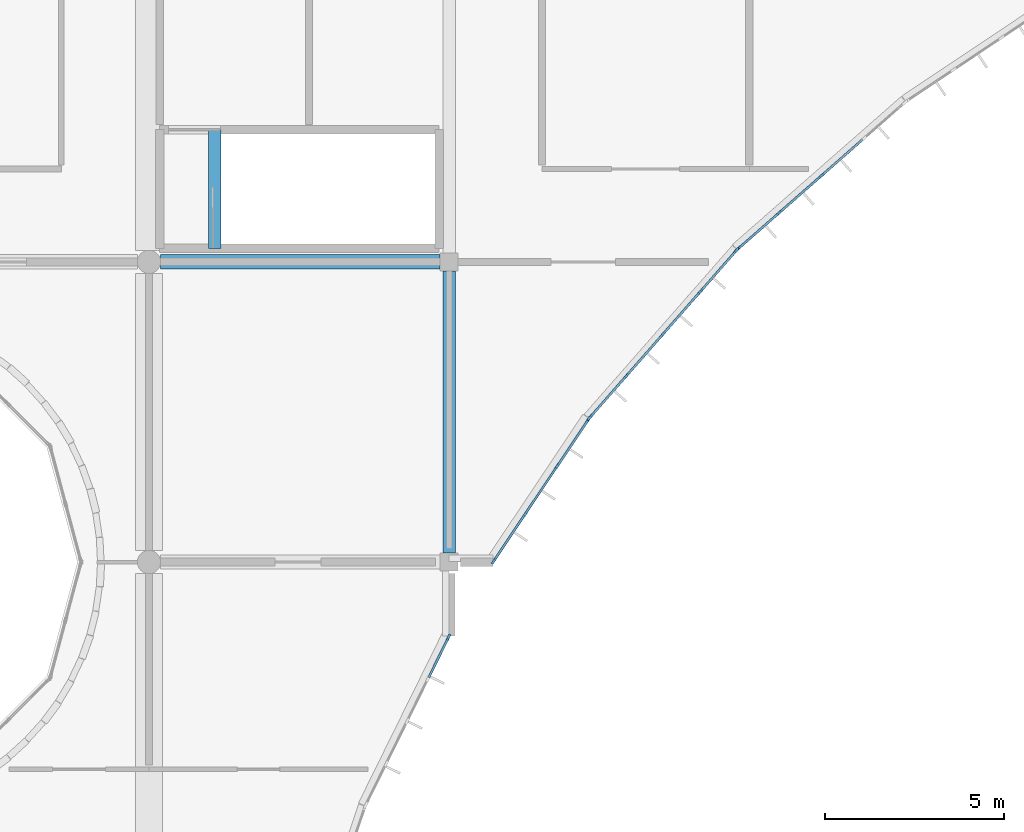
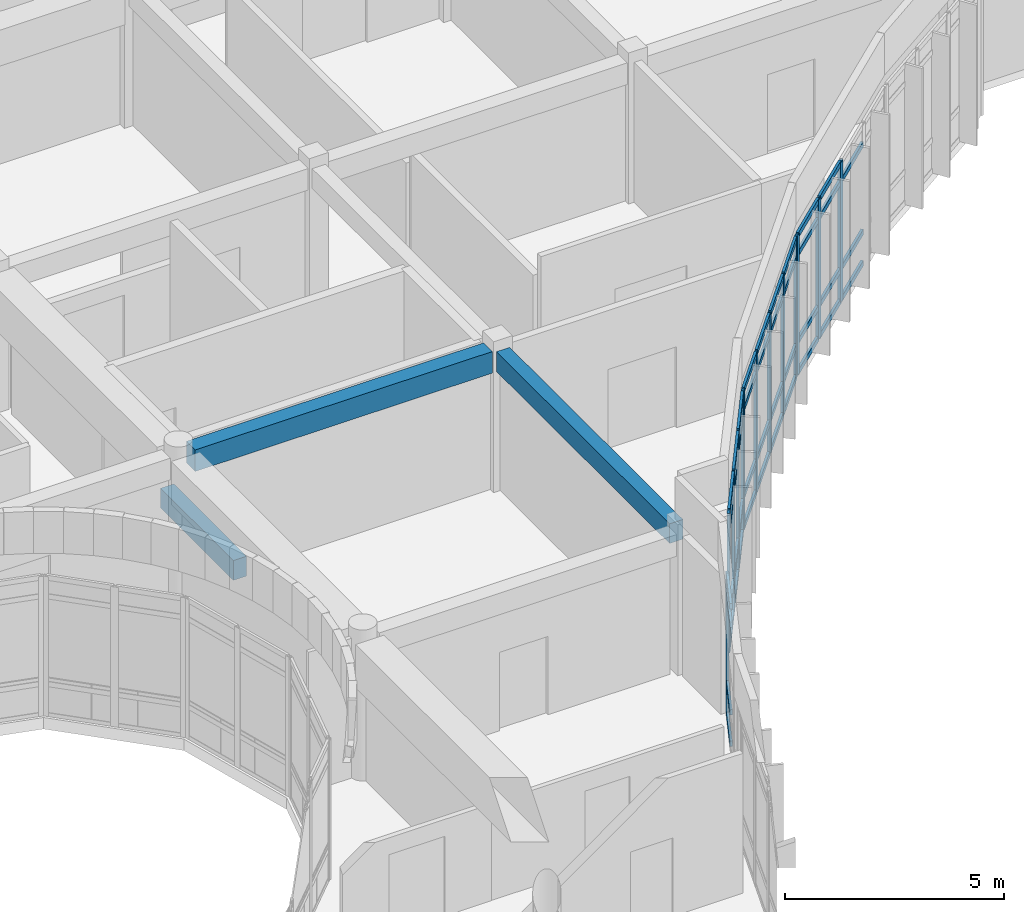
# One storey, part 49 of 119: 56 members, 3 beams, 4 elements without a shape of their own.
"""IFC4 building model written with IfcOpenShell, lengths in metres."""

import ifcopenshell
import ifcopenshell.guid

model = None  # the IFC model being written
_history = None  # IfcOwnerHistory: only IFC2X3 demands one
_inside = {}  # id of a spatial element -> (the spatial element, [elements in it])
_under = {}  # id of a project, library or spatial element -> (it, [spatial elements below it])
_declared = {}  # id of a project -> (the project, [libraries it declares])
_typed = {}  # id of a type object -> (the type object, [elements of that type])
_made_of = {}  # id of a material, layer set ... -> (it, [elements and type objects made of it])


def new_model(schema):
    """Start an empty IFC model of exactly this schema.

    Asked for "IFC4X3", IfcOpenShell would pick the latest addendum, in which some entities
    have other attributes; the version numbers below select the first issue.
    IFC2X3 requires an IfcOwnerHistory on every rooted entity: one is made here for all.
    """
    global model, _history
    if schema == "IFC4X3":
        model = ifcopenshell.file(schema_version=(4, 3, 0, 0))
    else:
        model = ifcopenshell.file(schema=schema)
    _inside.clear()
    _under.clear()
    _declared.clear()
    _typed.clear()
    _made_of.clear()
    _history = None
    if model.schema == "IFC2X3":
        org = make("IfcOrganization", Name="unknown")
        user = make(
            "IfcPersonAndOrganization",
            ThePerson=make("IfcPerson", FamilyName="unknown"),
            TheOrganization=org,
        )
        app = make(
            "IfcApplication",
            ApplicationDeveloper=org,
            Version="unknown",
            ApplicationFullName="unknown",
            ApplicationIdentifier="unknown",
        )
        _history = make(
            "IfcOwnerHistory",
            OwningUser=user,
            OwningApplication=app,
            ChangeAction="ADDED",
            CreationDate=0,
        )
    return model


def make(cls, **values):
    """One entity of the class cls with the attributes given. An attribute that is None is left unset."""
    return model.create_entity(
        cls, **{name: value for name, value in values.items() if value is not None}
    )


def rooted(cls, **values):
    """An entity with a GlobalId (a new one), such as an element, a storey or a relation."""
    return make(cls, GlobalId=ifcopenshell.guid.new(), OwnerHistory=_history, **values)


def si_unit(unit_type, name, prefix=None):
    """IfcSIUnit, for example si_unit("LENGTHUNIT", "METRE", prefix="MILLI")."""
    return make("IfcSIUnit", UnitType=unit_type, Prefix=prefix, Name=name)


def assignment(units):
    """IfcUnitAssignment: the units of a project."""
    return None if units is None else make("IfcUnitAssignment", Units=units)


def point(xyz):
    """IfcCartesianPoint."""
    return None if xyz is None else make("IfcCartesianPoint", Coordinates=xyz)


def direction(xyz):
    """IfcDirection."""
    return None if xyz is None else make("IfcDirection", DirectionRatios=xyz)


def frame(location, z_axis=None, x_axis=None):
    """IfcAxis2Placement3D, a coordinate frame: its origin and axes. An axis left out is left unset."""
    return make(
        "IfcAxis2Placement3D",
        Location=point(location),
        Axis=direction(z_axis),
        RefDirection=direction(x_axis),
    )


def frame_2d(location, x_axis=None):
    """IfcAxis2Placement2D, a coordinate frame in the plane: its origin and x axis."""
    return make(
        "IfcAxis2Placement2D", Location=point(location), RefDirection=direction(x_axis)
    )


def origin():
    """The frame at (0, 0, 0) with its axes left unset."""
    return frame((0.0, 0.0, 0.0))


def origin_2d():
    """The frame at (0, 0) in the plane with its x axis left unset."""
    return frame_2d((0.0, 0.0))


def place(relative_to, where):
    """IfcLocalPlacement: puts the frame where relative to a parent placement (None: the world)."""
    return make(
        "IfcLocalPlacement", PlacementRelTo=relative_to, RelativePlacement=where
    )


def context(
    kind, dimensions, precision=None, world=None, true_north=None, identifier=None
):
    """IfcGeometricRepresentationContext, for example the 3D "Model" context."""
    return make(
        "IfcGeometricRepresentationContext",
        ContextIdentifier=identifier,
        ContextType=kind,
        CoordinateSpaceDimension=dimensions,
        Precision=precision,
        WorldCoordinateSystem=world,
        TrueNorth=true_north,
    )


def subcontext(parent, identifier, kind, view, scale=None):
    """IfcGeometricRepresentationSubContext, for example "Body" below "Model"."""
    return make(
        "IfcGeometricRepresentationSubContext",
        ContextIdentifier=identifier,
        ContextType=kind,
        ParentContext=parent,
        TargetScale=scale,
        TargetView=view,
    )


def project(units=None, contexts=None):
    """IfcProject with its units and contexts."""
    return rooted(
        "IfcProject",
        Name="project",
        RepresentationContexts=contexts,
        UnitsInContext=assignment(units),
    )


def spatial(cls, under=None, at=None, **own):
    """A site, building, storey or space (cls), placed at a placement, below another one or the project."""
    s = rooted(cls, ObjectPlacement=at, **own)
    if under is not None:
        _under.setdefault(under.id(), (under, []))[1].append(s)
    return s


def profile(cls, at=None, kind="AREA", **sizes):
    """A parametric profile (cls). Its sizes go by their IFC names, for example OverallWidth=200.0."""
    return make(cls, ProfileType=kind, Position=at, **sizes)


def rectangle(**sizes):
    """IfcRectangleProfileDef."""
    return profile("IfcRectangleProfileDef", **sizes)


def extrude(swept, where, along, depth):
    """IfcExtrudedAreaSolid: the profile swept, set in the frame where, extruded along a direction by depth."""
    return make(
        "IfcExtrudedAreaSolid",
        SweptArea=swept,
        Position=where,
        ExtrudedDirection=direction(along),
        Depth=depth,
    )


def shape(context_of_items, identifier, shape_type, items):
    """IfcShapeRepresentation: the items that make up one representation, for example the "Body"."""
    return make(
        "IfcShapeRepresentation",
        ContextOfItems=context_of_items,
        RepresentationIdentifier=identifier,
        RepresentationType=shape_type,
        Items=items,
    )


def material(Name=None, Category=None):
    """IfcMaterial."""
    return make("IfcMaterial", Name=Name, Category=Category)


def layer(
    of_material, thickness, ventilated=None, Name=None, Category=None, Priority=None
):
    """IfcMaterialLayer: one layer of a wall or slab, of a material (None: an air gap)."""
    return make(
        "IfcMaterialLayer",
        Material=of_material,
        LayerThickness=thickness,
        IsVentilated=ventilated,
        Name=Name,
        Category=Category,
        Priority=Priority,
    )


def layer_set(layers, Name=None):
    """IfcMaterialLayerSet."""
    return make("IfcMaterialLayerSet", MaterialLayers=layers, LayerSetName=Name)


def material_profile(
    of_material, cross_section, Name=None, Category=None, Priority=None
):
    """IfcMaterialProfile: a cross section and its material."""
    return make(
        "IfcMaterialProfile",
        Name=Name,
        Material=of_material,
        Profile=cross_section,
        Priority=Priority,
        Category=Category,
    )


def profile_set(profiles, Name=None, composite=None):
    """IfcMaterialProfileSet."""
    return make(
        "IfcMaterialProfileSet",
        Name=Name,
        MaterialProfiles=profiles,
        CompositeProfile=composite,
    )


def made_of(thing, what):
    """Note that an element or type object is made of a material, layer set ...; save() writes the relation."""
    if what is not None:
        _made_of.setdefault(what.id(), (what, []))[1].append(thing)
    return thing


def type_object(cls, material=None, **own):
    """A type object (cls), such as IfcWallType, which elements share."""
    return made_of(rooted(cls, **own), material)


def element(
    cls,
    number,
    at=None,
    inside=None,
    cuts=None,
    type_object=None,
    material=None,
    context=None,
    identifier="Body",
    shape_type=None,
    held_by="IfcProductDefinitionShape",
    body=None,
    shapes=None,
    **own,
):
    """One element of the class cls, such as IfcWall. Its Tag is "e" and its number.

    at: its placement. inside: the storey or other place that contains it. cuts: it is an
    opening in that element (IfcRelVoidsElement). A single representation is given by context,
    identifier, shape_type and body (its items); several are given by shapes. held_by: the class
    of the entity that holds the representations. save() writes the other relations.
    """
    e = rooted(cls, Tag="e%d" % number, ObjectPlacement=at, **own)
    if body is not None:
        shapes = [shape(context, identifier, shape_type, body)]
    if shapes is not None:
        e.Representation = make(held_by, Representations=shapes)
    if inside is not None:
        _inside.setdefault(inside.id(), (inside, []))[1].append(e)
    if cuts is not None:
        rooted(
            "IfcRelVoidsElement", RelatingBuildingElement=cuts, RelatedOpeningElement=e
        )
    if type_object is not None:
        _typed.setdefault(type_object.id(), (type_object, []))[1].append(e)
    return made_of(e, material)


def aggregate(whole, parts):
    """IfcRelAggregates: a whole, such as a stair, and the parts it consists of."""
    return rooted("IfcRelAggregates", RelatingObject=whole, RelatedObjects=parts)


def save(model, path):
    """Write the relations noted so far, then the file.

    IfcRelAggregates (storeys below a building ...), IfcRelContainedInSpatialStructure (elements
    in a storey), IfcRelDefinesByType, IfcRelAssociatesMaterial and IfcRelDeclares: one each for
    every whole, place, type object, material and project.
    """
    for whole, parts in _under.values():
        aggregate(whole, parts)
    for where, things in _inside.values():
        rooted(
            "IfcRelContainedInSpatialStructure",
            RelatedElements=things,
            RelatingStructure=where,
        )
    for kind, things in _typed.values():
        rooted("IfcRelDefinesByType", RelatedObjects=things, RelatingType=kind)
    for what, things in _made_of.values():
        rooted("IfcRelAssociatesMaterial", RelatedObjects=things, RelatingMaterial=what)
    for by, libraries in _declared.values():
        rooted("IfcRelDeclares", RelatingContext=by, RelatedDefinitions=libraries)
    model.write(path)


model = new_model("IFC4")

# Units and contexts
model_context = context("Model", 3, precision=1e-05, world=origin(), true_north=direction((0.0, 1.0)))
body_context = subcontext(model_context, "Body", "Model", "MODEL_VIEW")
ifc_project = project(units=[si_unit("LENGTHUNIT", "METRE"), si_unit("AREAUNIT", "SQUARE_METRE"), si_unit("VOLUMEUNIT", "CUBIC_METRE"), si_unit("PLANEANGLEUNIT", "RADIAN"), si_unit("MASSUNIT", "GRAM", prefix="KILO")], contexts=[model_context])

# Site, building, storey
site_placement = place(None, origin())
site = spatial("IfcSite", under=ifc_project, at=site_placement, CompositionType="ELEMENT")
building_placement = place(site_placement, origin())
building = spatial("IfcBuilding", under=site, at=building_placement, Name="Bramfleet General Hospital", CompositionType="ELEMENT")
storey_placement = place(building_placement, frame((0.0, 0.0, 14.39990234375)))
storey = spatial("IfcBuildingStorey", under=building, at=storey_placement, Name="L03", CompositionType="ELEMENT", Elevation=14.39990234375)

# Beams
ifc_material_1 = material(Name="Concrete C35/45", Category="concrete")
ifc_material_profile_1 = material_profile(ifc_material_1, rectangle(XDim=0.35009765625, YDim=0.550048828125, at=origin_2d()), Name="RC BM 550x350")
ifc_profile_set_1 = profile_set([ifc_material_profile_1], Name="Concrete C35/45")
beam_type_1 = type_object("IfcBeamType", Name="BM-RC550", PredefinedType="BEAM", material=ifc_profile_set_1)
beam_1_placement = place(storey_placement, frame((134.39990234375, 67.449951171875, 3.625), z_axis=(0.0, 1.0, 0.0), x_axis=(-1.0, 0.0, 0.0)))
element("IfcBeam", 1, at=beam_1_placement, inside=storey, type_object=beam_type_1, Name="L03 Grid Beam Y 16-08", PredefinedType="BEAM", context=body_context, shape_type="SweptSolid", body=[
    extrude(rectangle(XDim=0.35009765625, YDim=0.550048828125, at=origin_2d()), origin(), (0.0, 0.0, 1.0), 7.900146484375),
])
beam_2_placement = place(storey_placement, frame((127.840087890625, 75.97998046875, -0.27490234375), z_axis=(0.0, 1.0, 0.0), x_axis=(-1.0, 0.0, 0.0)))
element("IfcBeam", 2, at=beam_2_placement, inside=storey, type_object=beam_type_1, Name="L03 C12 Stairwell Trimmer Beam", PredefinedType="BEAM", context=body_context, shape_type="SweptSolid", body=[
    extrude(rectangle(XDim=0.35009765625, YDim=0.550048828125, at=origin_2d()), origin(), (0.0, 0.0, 1.0), 3.320068359375),
])
ifc_material_profile_2 = material_profile(ifc_material_1, rectangle(XDim=0.39990234375, YDim=0.60009765625, at=origin_2d()), Name="RC BM 600x400")
ifc_profile_set_2 = profile_set([ifc_material_profile_2], Name="Concrete C35/45")
beam_type_2 = type_object("IfcBeamType", Name="BM-RC600", PredefinedType="BEAM", material=ifc_profile_set_2)
beam_3_placement = place(storey_placement, frame((126.324951171875, 75.60009765625, 3.60009765625), z_axis=(1.0, 0.0, 0.0), x_axis=(0.0, 1.0, 0.0)))
element("IfcBeam", 3, at=beam_3_placement, inside=storey, type_object=beam_type_2, Name="L03 Grid Beam X 15-09", PredefinedType="BEAM", context=body_context, shape_type="SweptSolid", body=[
    extrude(rectangle(XDim=0.39990234375, YDim=0.60009765625, at=origin_2d()), origin(), (0.0, 0.0, 1.0), 7.824951171875),
])

# Curtain wall, members
ifc_material_2 = material(Name="Anodised aluminium and low-E triple glazing", Category="aluminium")
ifc_layer_1 = layer(ifc_material_2, 0.179931640625, Name="CWT-CW-11")
ifc_layer_set_1 = layer_set([ifc_layer_1], Name="Anodised aluminium and low-E triple glazing")
curtain_wall_type_1 = type_object("IfcCurtainWallType", Name="CWT-CW-11", PredefinedType="USERDEFINED", material=ifc_layer_set_1)
curtain_wall_1_placement = place(storey_placement, origin())
curtain_wall_1 = element("IfcCurtainWall", 4, at=curtain_wall_1_placement, inside=storey, type_object=curtain_wall_type_1, Name="L03 Curtain Wall 155", ObjectType="Stick curtain wall", PredefinedType="USERDEFINED")
ifc_material_3 = material(Name="Structural timber GL28h", Category="wood")
ifc_material_profile_3 = material_profile(ifc_material_3, rectangle(XDim=0.070068359375, YDim=0.18994140625, at=origin_2d()), Name="LARCH 190x70")
ifc_profile_set_3 = profile_set([ifc_material_profile_3], Name="Structural timber GL28h")
member_type_1 = type_object("IfcMemberType", Name="CWM-LARCH450", PredefinedType="MULLION", material=ifc_profile_set_3)
member_1_placement = place(storey_placement, frame((144.819091796875, 78.010986328125, 0.0), z_axis=(0.0, 0.0, 1.0), x_axis=(0.659406233864, -0.75178681735, 0.0)))
member_1 = element("IfcMember", 5, at=member_1_placement, type_object=member_type_1, Name="CW-11 mullion 3", PredefinedType="MULLION", context=body_context, shape_type="SweptSolid", body=[
    extrude(rectangle(XDim=0.070068359375, YDim=0.18994140625, at=origin_2d()), origin(), (0.0, 0.0, 1.0), 3.89013671875),
])
member_2_placement = place(storey_placement, frame((143.638916015625, 76.97607421875, 0.0), z_axis=(0.0, 0.0, 1.0), x_axis=(0.659406233864, -0.75178681735, 0.0)))
member_2 = element("IfcMember", 6, at=member_2_placement, type_object=member_type_1, Name="CW-11 mullion 4", PredefinedType="MULLION", context=body_context, shape_type="SweptSolid", body=[
    extrude(rectangle(XDim=0.070068359375, YDim=0.18994140625, at=origin_2d()), origin(), (0.0, 0.0, 1.0), 3.89013671875),
])
member_3_placement = place(storey_placement, frame((142.4853515625, 75.964111328125, 0.0), z_axis=(0.0, 0.0, 1.0), x_axis=(0.659406233864, -0.75178681735, 0.0)))
member_3 = element("IfcMember", 7, at=member_3_placement, type_object=member_type_1, Name="CW-11 mullion 5", PredefinedType="MULLION", context=body_context, shape_type="SweptSolid", body=[
    extrude(rectangle(XDim=0.070068359375, YDim=0.18994140625, at=origin_2d()), origin(), (0.0, 0.0, 1.0), 3.89013671875),
])

ifc_layer_2 = layer(ifc_material_2, 0.179931640625, Name="CWT-CW-12")
ifc_layer_set_2 = layer_set([ifc_layer_2], Name="Anodised aluminium and low-E triple glazing")
curtain_wall_type_2 = type_object("IfcCurtainWallType", Name="CWT-CW-12", PredefinedType="USERDEFINED", material=ifc_layer_set_2)
curtain_wall_2_placement = place(storey_placement, origin())
curtain_wall_2 = element("IfcCurtainWall", 8, at=curtain_wall_2_placement, inside=storey, type_object=curtain_wall_type_2, Name="L03 Curtain Wall 156", ObjectType="Stick curtain wall", PredefinedType="USERDEFINED")
member_4_placement = place(storey_placement, frame((142.43603515625, 75.914794921875, 0.0), z_axis=(0.0, 0.0, 1.0), x_axis=(0.75178681735, -0.659406233864, 0.0)))
member_4 = element("IfcMember", 9, at=member_4_placement, type_object=member_type_1, Name="CW-12 mullion 1", PredefinedType="MULLION", context=body_context, shape_type="SweptSolid", body=[
    extrude(rectangle(XDim=0.070068359375, YDim=0.18994140625, at=origin_2d()), origin(), (0.0, 0.0, 1.0), 3.89013671875),
])
member_5_placement = place(storey_placement, frame((141.424072265625, 74.760986328125, 0.0), z_axis=(0.0, 0.0, 1.0), x_axis=(0.75178681735, -0.659406233864, 0.0)))
member_5 = element("IfcMember", 10, at=member_5_placement, type_object=member_type_1, Name="CW-12 mullion 2", PredefinedType="MULLION", context=body_context, shape_type="SweptSolid", body=[
    extrude(rectangle(XDim=0.070068359375, YDim=0.18994140625, at=origin_2d()), origin(), (0.0, 0.0, 1.0), 3.89013671875),
])
member_6_placement = place(storey_placement, frame((140.388916015625, 73.5810546875, 0.0), z_axis=(0.0, 0.0, 1.0), x_axis=(0.75178681735, -0.659406233864, 0.0)))
member_6 = element("IfcMember", 11, at=member_6_placement, type_object=member_type_1, Name="CW-12 mullion 3", PredefinedType="MULLION", context=body_context, shape_type="SweptSolid", body=[
    extrude(rectangle(XDim=0.070068359375, YDim=0.18994140625, at=origin_2d()), origin(), (0.0, 0.0, 1.0), 3.89013671875),
])
member_7_placement = place(storey_placement, frame((139.35400390625, 72.40087890625, 0.0), z_axis=(0.0, 0.0, 1.0), x_axis=(0.75178681735, -0.659406233864, 0.0)))
member_7 = element("IfcMember", 12, at=member_7_placement, type_object=member_type_1, Name="CW-12 mullion 4", PredefinedType="MULLION", context=body_context, shape_type="SweptSolid", body=[
    extrude(rectangle(XDim=0.070068359375, YDim=0.18994140625, at=origin_2d()), origin(), (0.0, 0.0, 1.0), 3.89013671875),
])
member_8_placement = place(storey_placement, frame((138.342041015625, 71.247314453125, 0.0), z_axis=(0.0, 0.0, 1.0), x_axis=(0.75178681735, -0.659406233864, 0.0)))
member_8 = element("IfcMember", 13, at=member_8_placement, type_object=member_type_1, Name="CW-12 mullion 5", PredefinedType="MULLION", context=body_context, shape_type="SweptSolid", body=[
    extrude(rectangle(XDim=0.070068359375, YDim=0.18994140625, at=origin_2d()), origin(), (0.0, 0.0, 1.0), 3.89013671875),
])

ifc_layer_3 = layer(ifc_material_2, 0.179931640625, Name="CWT-CW-13")
ifc_layer_set_3 = layer_set([ifc_layer_3], Name="Anodised aluminium and low-E triple glazing")
curtain_wall_type_3 = type_object("IfcCurtainWallType", Name="CWT-CW-13", PredefinedType="USERDEFINED", material=ifc_layer_set_3)
curtain_wall_3_placement = place(storey_placement, origin())
curtain_wall_3 = element("IfcCurtainWall", 14, at=curtain_wall_3_placement, inside=storey, type_object=curtain_wall_type_3, Name="L03 Curtain Wall 157", ObjectType="Stick curtain wall", PredefinedType="USERDEFINED")
member_9_placement = place(storey_placement, frame((138.299560546875, 71.19189453125, 0.0), z_axis=(0.0, 0.0, 1.0), x_axis=(0.831540898988, -0.555463530135, 0.0)))
member_9 = element("IfcMember", 15, at=member_9_placement, type_object=member_type_1, Name="CW-13 mullion 1", PredefinedType="MULLION", context=body_context, shape_type="SweptSolid", body=[
    extrude(rectangle(XDim=0.070068359375, YDim=0.18994140625, at=origin_2d()), origin(), (0.0, 0.0, 1.0), 3.89013671875),
])
member_10_placement = place(storey_placement, frame((137.423583984375, 69.880615234375, 0.0), z_axis=(0.0, 0.0, 1.0), x_axis=(0.831540898988, -0.555463530135, 0.0)))
member_10 = element("IfcMember", 16, at=member_10_placement, type_object=member_type_1, Name="CW-13 mullion 2", PredefinedType="MULLION", context=body_context, shape_type="SweptSolid", body=[
    extrude(rectangle(XDim=0.070068359375, YDim=0.18994140625, at=origin_2d()), origin(), (0.0, 0.0, 1.0), 3.89013671875),
])
member_11_placement = place(storey_placement, frame((136.5283203125, 68.540283203125, 0.0), z_axis=(0.0, 0.0, 1.0), x_axis=(0.831540898988, -0.555463530135, 0.0)))
member_11 = element("IfcMember", 17, at=member_11_placement, type_object=member_type_1, Name="CW-13 mullion 3", PredefinedType="MULLION", context=body_context, shape_type="SweptSolid", body=[
    extrude(rectangle(XDim=0.070068359375, YDim=0.18994140625, at=origin_2d()), origin(), (0.0, 0.0, 1.0), 3.89013671875),
])
member_12_placement = place(storey_placement, frame((135.65234375, 67.22900390625, 0.0), z_axis=(0.0, 0.0, 1.0), x_axis=(0.831540898988, -0.555463530135, 0.0)))
member_12 = element("IfcMember", 18, at=member_12_placement, type_object=member_type_1, Name="CW-13 mullion 4", PredefinedType="MULLION", context=body_context, shape_type="SweptSolid", body=[
    extrude(rectangle(XDim=0.070068359375, YDim=0.18994140625, at=origin_2d()), origin(), (0.0, 0.0, 1.0), 3.89013671875),
])

# Curtain wall, member
ifc_layer_4 = layer(ifc_material_2, 0.179931640625, Name="CWT-CW-14")
ifc_layer_set_4 = layer_set([ifc_layer_4], Name="Anodised aluminium and low-E triple glazing")
curtain_wall_type_4 = type_object("IfcCurtainWallType", Name="CWT-CW-14", PredefinedType="USERDEFINED", material=ifc_layer_set_4)
curtain_wall_4_placement = place(storey_placement, origin())
curtain_wall_4 = element("IfcCurtainWall", 19, at=curtain_wall_4_placement, inside=storey, type_object=curtain_wall_type_4, Name="L03 Curtain Wall 158", ObjectType="Stick curtain wall", PredefinedType="USERDEFINED")
member_13_placement = place(storey_placement, frame((134.384521484375, 65.0947265625, 0.0), z_axis=(0.0, 0.0, 1.0), x_axis=(0.896864723513, -0.442304948782, 0.0)))
member_13 = element("IfcMember", 20, at=member_13_placement, type_object=member_type_1, Name="CW-14 mullion 1", PredefinedType="MULLION", context=body_context, shape_type="SweptSolid", body=[
    extrude(rectangle(XDim=0.070068359375, YDim=0.18994140625, at=origin_2d()), origin(), (0.0, 0.0, 1.0), 3.89013671875),
])

# Member
ifc_material_profile_4 = material_profile(ifc_material_3, rectangle(XDim=0.06494140625, YDim=0.14990234375, at=origin_2d()), Name="LARCH 150x65")
ifc_profile_set_4 = profile_set([ifc_material_profile_4], Name="Structural timber GL28h")
member_type_2 = type_object("IfcMemberType", Name="CWT-LARCH220", PredefinedType="USERDEFINED", material=ifc_profile_set_4)
member_14_placement = place(storey_placement, frame((145.97265625, 79.02294921875, 0.03271484375), z_axis=(-0.751829905296, -0.659357106204, 0.0), x_axis=(0.659357106204, -0.751829905296, 0.0)))
member_14 = element("IfcMember", 21, at=member_14_placement, type_object=member_type_2, Name="CW-11 transom 2.1", ObjectType="TRANSOM", PredefinedType="USERDEFINED", context=body_context, shape_type="SweptSolid", body=[
    extrude(rectangle(XDim=0.06494140625, YDim=0.14990234375, at=origin_2d()), origin(), (0.0, 0.0, 1.0), 1.49951171875),
])

member_15_placement = place(storey_placement, frame((145.97265625, 79.02294921875, 0.900146484375), z_axis=(-0.751829905296, -0.659357106204, 0.0), x_axis=(0.659357106204, -0.751829905296, 0.0)))
member_15 = element("IfcMember", 22, at=member_15_placement, type_object=member_type_2, Name="CW-11 transom 2.2", ObjectType="TRANSOM", PredefinedType="USERDEFINED", context=body_context, shape_type="SweptSolid", body=[
    extrude(rectangle(XDim=0.06494140625, YDim=0.14990234375, at=origin_2d()), origin(), (0.0, 0.0, 1.0), 1.49951171875),
])

member_16_placement = place(storey_placement, frame((145.97265625, 79.02294921875, 3.340087890625), z_axis=(-0.751829905296, -0.659357106204, 0.0), x_axis=(0.659357106204, -0.751829905296, 0.0)))
member_16 = element("IfcMember", 23, at=member_16_placement, type_object=member_type_2, Name="CW-11 transom 2.3", ObjectType="TRANSOM", PredefinedType="USERDEFINED", context=body_context, shape_type="SweptSolid", body=[
    extrude(rectangle(XDim=0.06494140625, YDim=0.14990234375, at=origin_2d()), origin(), (0.0, 0.0, 1.0), 1.49951171875),
])

member_17_placement = place(storey_placement, frame((144.792724609375, 77.988037109375, 0.03271484375), z_axis=(-0.751749202304, -0.659449116183, 0.0), x_axis=(0.659449116183, -0.751749202304, 0.0)))
member_17 = element("IfcMember", 24, at=member_17_placement, type_object=member_type_2, Name="CW-11 transom 3.1", ObjectType="TRANSOM", PredefinedType="USERDEFINED", context=body_context, shape_type="SweptSolid", body=[
    extrude(rectangle(XDim=0.06494140625, YDim=0.14990234375, at=origin_2d()), origin(), (0.0, 0.0, 1.0), 1.499755859375),
])

member_18_placement = place(storey_placement, frame((144.792724609375, 77.988037109375, 0.900146484375), z_axis=(-0.751749202304, -0.659449116183, 0.0), x_axis=(0.659449116183, -0.751749202304, 0.0)))
member_18 = element("IfcMember", 25, at=member_18_placement, type_object=member_type_2, Name="CW-11 transom 3.2", ObjectType="TRANSOM", PredefinedType="USERDEFINED", context=body_context, shape_type="SweptSolid", body=[
    extrude(rectangle(XDim=0.06494140625, YDim=0.14990234375, at=origin_2d()), origin(), (0.0, 0.0, 1.0), 1.499755859375),
])

member_19_placement = place(storey_placement, frame((144.792724609375, 77.988037109375, 3.340087890625), z_axis=(-0.751749202304, -0.659449116183, 0.0), x_axis=(0.659449116183, -0.751749202304, 0.0)))
member_19 = element("IfcMember", 26, at=member_19_placement, type_object=member_type_2, Name="CW-11 transom 3.3", ObjectType="TRANSOM", PredefinedType="USERDEFINED", context=body_context, shape_type="SweptSolid", body=[
    extrude(rectangle(XDim=0.06494140625, YDim=0.14990234375, at=origin_2d()), origin(), (0.0, 0.0, 1.0), 1.499755859375),
])

member_20_placement = place(storey_placement, frame((144.792724609375, 77.988037109375, 3.857666015625), z_axis=(-0.751749202304, -0.659449116183, 0.0), x_axis=(0.659449116183, -0.751749202304, 0.0)))
member_20 = element("IfcMember", 27, at=member_20_placement, type_object=member_type_2, Name="CW-11 transom 3.4", ObjectType="TRANSOM", PredefinedType="USERDEFINED", context=body_context, shape_type="SweptSolid", body=[
    extrude(rectangle(XDim=0.06494140625, YDim=0.14990234375, at=origin_2d()), origin(), (0.0, 0.0, 1.0), 1.499755859375),
])

member_21_placement = place(storey_placement, frame((143.61279296875, 76.952880859375, 0.03271484375), z_axis=(-0.75177071058, -0.659424596686, 0.0), x_axis=(0.659424596686, -0.75177071058, 0.0)))
member_21 = element("IfcMember", 28, at=member_21_placement, type_object=member_type_2, Name="CW-11 transom 4.1", ObjectType="TRANSOM", PredefinedType="USERDEFINED", context=body_context, shape_type="SweptSolid", body=[
    extrude(rectangle(XDim=0.06494140625, YDim=0.14990234375, at=origin_2d()), origin(), (0.0, 0.0, 1.0), 1.464599609375),
])

member_22_placement = place(storey_placement, frame((143.61279296875, 76.952880859375, 0.900146484375), z_axis=(-0.75177071058, -0.659424596686, 0.0), x_axis=(0.659424596686, -0.75177071058, 0.0)))
member_22 = element("IfcMember", 29, at=member_22_placement, type_object=member_type_2, Name="CW-11 transom 4.2", ObjectType="TRANSOM", PredefinedType="USERDEFINED", context=body_context, shape_type="SweptSolid", body=[
    extrude(rectangle(XDim=0.06494140625, YDim=0.14990234375, at=origin_2d()), origin(), (0.0, 0.0, 1.0), 1.464599609375),
])

member_23_placement = place(storey_placement, frame((143.61279296875, 76.952880859375, 3.340087890625), z_axis=(-0.75177071058, -0.659424596686, 0.0), x_axis=(0.659424596686, -0.75177071058, 0.0)))
member_23 = element("IfcMember", 30, at=member_23_placement, type_object=member_type_2, Name="CW-11 transom 4.3", ObjectType="TRANSOM", PredefinedType="USERDEFINED", context=body_context, shape_type="SweptSolid", body=[
    extrude(rectangle(XDim=0.06494140625, YDim=0.14990234375, at=origin_2d()), origin(), (0.0, 0.0, 1.0), 1.464599609375),
])

member_24_placement = place(storey_placement, frame((143.61279296875, 76.952880859375, 3.857666015625), z_axis=(-0.75177071058, -0.659424596686, 0.0), x_axis=(0.659424596686, -0.75177071058, 0.0)))
member_24 = element("IfcMember", 31, at=member_24_placement, type_object=member_type_2, Name="CW-11 transom 4.4", ObjectType="TRANSOM", PredefinedType="USERDEFINED", context=body_context, shape_type="SweptSolid", body=[
    extrude(rectangle(XDim=0.06494140625, YDim=0.14990234375, at=origin_2d()), origin(), (0.0, 0.0, 1.0), 1.464599609375),
])

aggregate(curtain_wall_1, [member_1, member_2, member_3, member_14, member_15, member_16, member_17, member_18, member_19, member_20, member_21, member_22, member_23, member_24])

member_25_placement = place(storey_placement, frame((142.412841796875, 75.888427734375, 0.03271484375), z_axis=(-0.659424596686, -0.75177071058, 0.0), x_axis=(0.75177071058, -0.659424596686, 0.0)))
member_25 = element("IfcMember", 32, at=member_25_placement, type_object=member_type_2, Name="CW-12 transom 1.1", ObjectType="TRANSOM", PredefinedType="USERDEFINED", context=body_context, shape_type="SweptSolid", body=[
    extrude(rectangle(XDim=0.06494140625, YDim=0.14990234375, at=origin_2d()), origin(), (0.0, 0.0, 1.0), 1.464599609375),
])

member_26_placement = place(storey_placement, frame((142.412841796875, 75.888427734375, 0.900146484375), z_axis=(-0.659424596686, -0.75177071058, 0.0), x_axis=(0.75177071058, -0.659424596686, 0.0)))
member_26 = element("IfcMember", 33, at=member_26_placement, type_object=member_type_2, Name="CW-12 transom 1.2", ObjectType="TRANSOM", PredefinedType="USERDEFINED", context=body_context, shape_type="SweptSolid", body=[
    extrude(rectangle(XDim=0.06494140625, YDim=0.14990234375, at=origin_2d()), origin(), (0.0, 0.0, 1.0), 1.464599609375),
])

member_27_placement = place(storey_placement, frame((142.412841796875, 75.888427734375, 3.340087890625), z_axis=(-0.659424596686, -0.75177071058, 0.0), x_axis=(0.75177071058, -0.659424596686, 0.0)))
member_27 = element("IfcMember", 34, at=member_27_placement, type_object=member_type_2, Name="CW-12 transom 1.3", ObjectType="TRANSOM", PredefinedType="USERDEFINED", context=body_context, shape_type="SweptSolid", body=[
    extrude(rectangle(XDim=0.06494140625, YDim=0.14990234375, at=origin_2d()), origin(), (0.0, 0.0, 1.0), 1.464599609375),
])

member_28_placement = place(storey_placement, frame((142.412841796875, 75.888427734375, 3.857666015625), z_axis=(-0.659424596686, -0.75177071058, 0.0), x_axis=(0.75177071058, -0.659424596686, 0.0)))
member_28 = element("IfcMember", 35, at=member_28_placement, type_object=member_type_2, Name="CW-12 transom 1.4", ObjectType="TRANSOM", PredefinedType="USERDEFINED", context=body_context, shape_type="SweptSolid", body=[
    extrude(rectangle(XDim=0.06494140625, YDim=0.14990234375, at=origin_2d()), origin(), (0.0, 0.0, 1.0), 1.464599609375),
])

member_29_placement = place(storey_placement, frame((141.40087890625, 74.734619140625, 0.03271484375), z_axis=(-0.659437818308, -0.751759112871, 0.0), x_axis=(0.751759112871, -0.659437818308, 0.0)))
member_29 = element("IfcMember", 36, at=member_29_placement, type_object=member_type_2, Name="CW-12 transom 2.1", ObjectType="TRANSOM", PredefinedType="USERDEFINED", context=body_context, shape_type="SweptSolid", body=[
    extrude(rectangle(XDim=0.06494140625, YDim=0.14990234375, at=origin_2d()), origin(), (0.0, 0.0, 1.0), 1.49951171875),
])

member_30_placement = place(storey_placement, frame((141.40087890625, 74.734619140625, 0.900146484375), z_axis=(-0.659437818308, -0.751759112871, 0.0), x_axis=(0.751759112871, -0.659437818308, 0.0)))
member_30 = element("IfcMember", 37, at=member_30_placement, type_object=member_type_2, Name="CW-12 transom 2.2", ObjectType="TRANSOM", PredefinedType="USERDEFINED", context=body_context, shape_type="SweptSolid", body=[
    extrude(rectangle(XDim=0.06494140625, YDim=0.14990234375, at=origin_2d()), origin(), (0.0, 0.0, 1.0), 1.49951171875),
])

member_31_placement = place(storey_placement, frame((141.40087890625, 74.734619140625, 3.340087890625), z_axis=(-0.659437818308, -0.751759112871, 0.0), x_axis=(0.751759112871, -0.659437818308, 0.0)))
member_31 = element("IfcMember", 38, at=member_31_placement, type_object=member_type_2, Name="CW-12 transom 2.3", ObjectType="TRANSOM", PredefinedType="USERDEFINED", context=body_context, shape_type="SweptSolid", body=[
    extrude(rectangle(XDim=0.06494140625, YDim=0.14990234375, at=origin_2d()), origin(), (0.0, 0.0, 1.0), 1.49951171875),
])

member_32_placement = place(storey_placement, frame((141.40087890625, 74.734619140625, 3.857666015625), z_axis=(-0.659437818308, -0.751759112871, 0.0), x_axis=(0.751759112871, -0.659437818308, 0.0)))
member_32 = element("IfcMember", 39, at=member_32_placement, type_object=member_type_2, Name="CW-12 transom 2.4", ObjectType="TRANSOM", PredefinedType="USERDEFINED", context=body_context, shape_type="SweptSolid", body=[
    extrude(rectangle(XDim=0.06494140625, YDim=0.14990234375, at=origin_2d()), origin(), (0.0, 0.0, 1.0), 1.49951171875),
])

member_33_placement = place(storey_placement, frame((140.365966796875, 73.5546875, 0.03271484375), z_axis=(-0.659357106204, -0.751829905296, 0.0), x_axis=(0.751829905296, -0.659357106204, 0.0)))
member_33 = element("IfcMember", 40, at=member_33_placement, type_object=member_type_2, Name="CW-12 transom 3.1", ObjectType="TRANSOM", PredefinedType="USERDEFINED", context=body_context, shape_type="SweptSolid", body=[
    extrude(rectangle(XDim=0.06494140625, YDim=0.14990234375, at=origin_2d()), origin(), (0.0, 0.0, 1.0), 1.49951171875),
])

member_34_placement = place(storey_placement, frame((140.365966796875, 73.5546875, 0.900146484375), z_axis=(-0.659357106204, -0.751829905296, 0.0), x_axis=(0.751829905296, -0.659357106204, 0.0)))
member_34 = element("IfcMember", 41, at=member_34_placement, type_object=member_type_2, Name="CW-12 transom 3.2", ObjectType="TRANSOM", PredefinedType="USERDEFINED", context=body_context, shape_type="SweptSolid", body=[
    extrude(rectangle(XDim=0.06494140625, YDim=0.14990234375, at=origin_2d()), origin(), (0.0, 0.0, 1.0), 1.49951171875),
])

member_35_placement = place(storey_placement, frame((140.365966796875, 73.5546875, 3.340087890625), z_axis=(-0.659357106204, -0.751829905296, 0.0), x_axis=(0.751829905296, -0.659357106204, 0.0)))
member_35 = element("IfcMember", 42, at=member_35_placement, type_object=member_type_2, Name="CW-12 transom 3.3", ObjectType="TRANSOM", PredefinedType="USERDEFINED", context=body_context, shape_type="SweptSolid", body=[
    extrude(rectangle(XDim=0.06494140625, YDim=0.14990234375, at=origin_2d()), origin(), (0.0, 0.0, 1.0), 1.49951171875),
])

member_36_placement = place(storey_placement, frame((140.365966796875, 73.5546875, 3.857666015625), z_axis=(-0.659357106204, -0.751829905296, 0.0), x_axis=(0.751829905296, -0.659357106204, 0.0)))
member_36 = element("IfcMember", 43, at=member_36_placement, type_object=member_type_2, Name="CW-12 transom 3.4", ObjectType="TRANSOM", PredefinedType="USERDEFINED", context=body_context, shape_type="SweptSolid", body=[
    extrude(rectangle(XDim=0.06494140625, YDim=0.14990234375, at=origin_2d()), origin(), (0.0, 0.0, 1.0), 1.49951171875),
])

member_37_placement = place(storey_placement, frame((139.330810546875, 72.374755859375, 0.03271484375), z_axis=(-0.659330374914, -0.751853347879, 0.0), x_axis=(0.751853347879, -0.659330374914, 0.0)))
member_37 = element("IfcMember", 44, at=member_37_placement, type_object=member_type_2, Name="CW-12 transom 4.1", ObjectType="TRANSOM", PredefinedType="USERDEFINED", context=body_context, shape_type="SweptSolid", body=[
    extrude(rectangle(XDim=0.06494140625, YDim=0.14990234375, at=origin_2d()), origin(), (0.0, 0.0, 1.0), 1.464599609375),
])

member_38_placement = place(storey_placement, frame((139.330810546875, 72.374755859375, 0.900146484375), z_axis=(-0.659330374914, -0.751853347879, 0.0), x_axis=(0.751853347879, -0.659330374914, 0.0)))
member_38 = element("IfcMember", 45, at=member_38_placement, type_object=member_type_2, Name="CW-12 transom 4.2", ObjectType="TRANSOM", PredefinedType="USERDEFINED", context=body_context, shape_type="SweptSolid", body=[
    extrude(rectangle(XDim=0.06494140625, YDim=0.14990234375, at=origin_2d()), origin(), (0.0, 0.0, 1.0), 1.464599609375),
])

member_39_placement = place(storey_placement, frame((139.330810546875, 72.374755859375, 3.340087890625), z_axis=(-0.659330374914, -0.751853347879, 0.0), x_axis=(0.751853347879, -0.659330374914, 0.0)))
member_39 = element("IfcMember", 46, at=member_39_placement, type_object=member_type_2, Name="CW-12 transom 4.3", ObjectType="TRANSOM", PredefinedType="USERDEFINED", context=body_context, shape_type="SweptSolid", body=[
    extrude(rectangle(XDim=0.06494140625, YDim=0.14990234375, at=origin_2d()), origin(), (0.0, 0.0, 1.0), 1.464599609375),
])

member_40_placement = place(storey_placement, frame((139.330810546875, 72.374755859375, 3.857666015625), z_axis=(-0.659330374914, -0.751853347879, 0.0), x_axis=(0.751853347879, -0.659330374914, 0.0)))
member_40 = element("IfcMember", 47, at=member_40_placement, type_object=member_type_2, Name="CW-12 transom 4.4", ObjectType="TRANSOM", PredefinedType="USERDEFINED", context=body_context, shape_type="SweptSolid", body=[
    extrude(rectangle(XDim=0.06494140625, YDim=0.14990234375, at=origin_2d()), origin(), (0.0, 0.0, 1.0), 1.464599609375),
])

aggregate(curtain_wall_2, [member_4, member_5, member_6, member_7, member_8, member_25, member_26, member_27, member_28, member_29, member_30, member_31, member_32, member_33, member_34, member_35, member_36, member_37, member_38, member_39, member_40])

member_41_placement = place(storey_placement, frame((138.280029296875, 71.162841796875, 0.03271484375), z_axis=(-0.555372982682, -0.831601376927, 0.0), x_axis=(0.831601376927, -0.555372982682, 0.0)))
member_41 = element("IfcMember", 48, at=member_41_placement, type_object=member_type_2, Name="CW-13 transom 1.1", ObjectType="TRANSOM", PredefinedType="USERDEFINED", context=body_context, shape_type="SweptSolid", body=[
    extrude(rectangle(XDim=0.06494140625, YDim=0.14990234375, at=origin_2d()), origin(), (0.0, 0.0, 1.0), 1.5068359375),
])

member_42_placement = place(storey_placement, frame((138.280029296875, 71.162841796875, 0.900146484375), z_axis=(-0.555372982682, -0.831601376927, 0.0), x_axis=(0.831601376927, -0.555372982682, 0.0)))
member_42 = element("IfcMember", 49, at=member_42_placement, type_object=member_type_2, Name="CW-13 transom 1.2", ObjectType="TRANSOM", PredefinedType="USERDEFINED", context=body_context, shape_type="SweptSolid", body=[
    extrude(rectangle(XDim=0.06494140625, YDim=0.14990234375, at=origin_2d()), origin(), (0.0, 0.0, 1.0), 1.5068359375),
])

member_43_placement = place(storey_placement, frame((138.280029296875, 71.162841796875, 3.340087890625), z_axis=(-0.555372982682, -0.831601376927, 0.0), x_axis=(0.831601376927, -0.555372982682, 0.0)))
member_43 = element("IfcMember", 50, at=member_43_placement, type_object=member_type_2, Name="CW-13 transom 1.3", ObjectType="TRANSOM", PredefinedType="USERDEFINED", context=body_context, shape_type="SweptSolid", body=[
    extrude(rectangle(XDim=0.06494140625, YDim=0.14990234375, at=origin_2d()), origin(), (0.0, 0.0, 1.0), 1.5068359375),
])

member_44_placement = place(storey_placement, frame((138.280029296875, 71.162841796875, 3.857666015625), z_axis=(-0.555372982682, -0.831601376927, 0.0), x_axis=(0.831601376927, -0.555372982682, 0.0)))
member_44 = element("IfcMember", 51, at=member_44_placement, type_object=member_type_2, Name="CW-13 transom 1.4", ObjectType="TRANSOM", PredefinedType="USERDEFINED", context=body_context, shape_type="SweptSolid", body=[
    extrude(rectangle(XDim=0.06494140625, YDim=0.14990234375, at=origin_2d()), origin(), (0.0, 0.0, 1.0), 1.5068359375),
])

member_45_placement = place(storey_placement, frame((137.404296875, 69.8515625, 0.03271484375), z_axis=(-0.555430748118, -0.831562796213, 0.0), x_axis=(0.831562796213, -0.555430748118, 0.0)))
member_45 = element("IfcMember", 52, at=member_45_placement, type_object=member_type_2, Name="CW-13 transom 2.1", ObjectType="TRANSOM", PredefinedType="USERDEFINED", context=body_context, shape_type="SweptSolid", body=[
    extrude(rectangle(XDim=0.06494140625, YDim=0.14990234375, at=origin_2d()), origin(), (0.0, 0.0, 1.0), 1.5419921875),
])

member_46_placement = place(storey_placement, frame((137.404296875, 69.8515625, 0.900146484375), z_axis=(-0.555430748118, -0.831562796213, 0.0), x_axis=(0.831562796213, -0.555430748118, 0.0)))
member_46 = element("IfcMember", 53, at=member_46_placement, type_object=member_type_2, Name="CW-13 transom 2.2", ObjectType="TRANSOM", PredefinedType="USERDEFINED", context=body_context, shape_type="SweptSolid", body=[
    extrude(rectangle(XDim=0.06494140625, YDim=0.14990234375, at=origin_2d()), origin(), (0.0, 0.0, 1.0), 1.5419921875),
])

member_47_placement = place(storey_placement, frame((137.404296875, 69.8515625, 3.340087890625), z_axis=(-0.555430748118, -0.831562796213, 0.0), x_axis=(0.831562796213, -0.555430748118, 0.0)))
member_47 = element("IfcMember", 54, at=member_47_placement, type_object=member_type_2, Name="CW-13 transom 2.3", ObjectType="TRANSOM", PredefinedType="USERDEFINED", context=body_context, shape_type="SweptSolid", body=[
    extrude(rectangle(XDim=0.06494140625, YDim=0.14990234375, at=origin_2d()), origin(), (0.0, 0.0, 1.0), 1.5419921875),
])

member_48_placement = place(storey_placement, frame((137.404296875, 69.8515625, 3.857666015625), z_axis=(-0.555430748118, -0.831562796213, 0.0), x_axis=(0.831562796213, -0.555430748118, 0.0)))
member_48 = element("IfcMember", 55, at=member_48_placement, type_object=member_type_2, Name="CW-13 transom 2.4", ObjectType="TRANSOM", PredefinedType="USERDEFINED", context=body_context, shape_type="SweptSolid", body=[
    extrude(rectangle(XDim=0.06494140625, YDim=0.14990234375, at=origin_2d()), origin(), (0.0, 0.0, 1.0), 1.5419921875),
])

member_49_placement = place(storey_placement, frame((136.5087890625, 68.51123046875, 0.03271484375), z_axis=(-0.555447815026, -0.831551396357, 0.0), x_axis=(0.831551396357, -0.555447815026, 0.0)))
member_49 = element("IfcMember", 56, at=member_49_placement, type_object=member_type_2, Name="CW-13 transom 3.1", ObjectType="TRANSOM", PredefinedType="USERDEFINED", context=body_context, shape_type="SweptSolid", body=[
    extrude(rectangle(XDim=0.06494140625, YDim=0.14990234375, at=origin_2d()), origin(), (0.0, 0.0, 1.0), 1.5068359375),
])

member_50_placement = place(storey_placement, frame((136.5087890625, 68.51123046875, 0.900146484375), z_axis=(-0.555447815026, -0.831551396357, 0.0), x_axis=(0.831551396357, -0.555447815026, 0.0)))
member_50 = element("IfcMember", 57, at=member_50_placement, type_object=member_type_2, Name="CW-13 transom 3.2", ObjectType="TRANSOM", PredefinedType="USERDEFINED", context=body_context, shape_type="SweptSolid", body=[
    extrude(rectangle(XDim=0.06494140625, YDim=0.14990234375, at=origin_2d()), origin(), (0.0, 0.0, 1.0), 1.5068359375),
])

member_51_placement = place(storey_placement, frame((136.5087890625, 68.51123046875, 3.340087890625), z_axis=(-0.555447815026, -0.831551396357, 0.0), x_axis=(0.831551396357, -0.555447815026, 0.0)))
member_51 = element("IfcMember", 58, at=member_51_placement, type_object=member_type_2, Name="CW-13 transom 3.3", ObjectType="TRANSOM", PredefinedType="USERDEFINED", context=body_context, shape_type="SweptSolid", body=[
    extrude(rectangle(XDim=0.06494140625, YDim=0.14990234375, at=origin_2d()), origin(), (0.0, 0.0, 1.0), 1.5068359375),
])

member_52_placement = place(storey_placement, frame((136.5087890625, 68.51123046875, 3.857666015625), z_axis=(-0.555447815026, -0.831551396357, 0.0), x_axis=(0.831551396357, -0.555447815026, 0.0)))
member_52 = element("IfcMember", 59, at=member_52_placement, type_object=member_type_2, Name="CW-13 transom 3.4", ObjectType="TRANSOM", PredefinedType="USERDEFINED", context=body_context, shape_type="SweptSolid", body=[
    extrude(rectangle(XDim=0.06494140625, YDim=0.14990234375, at=origin_2d()), origin(), (0.0, 0.0, 1.0), 1.5068359375),
])

aggregate(curtain_wall_3, [member_9, member_10, member_11, member_12, member_41, member_42, member_43, member_44, member_45, member_46, member_47, member_48, member_49, member_50, member_51, member_52])

member_53_placement = place(storey_placement, frame((134.369140625, 65.063232421875, 0.03271484375), z_axis=(-0.442327738397, -0.896853484046, 0.0), x_axis=(0.896853484046, -0.442327738397, 0.0)))
member_53 = element("IfcMember", 60, at=member_53_placement, type_object=member_type_2, Name="CW-14 transom 1.1", ObjectType="TRANSOM", PredefinedType="USERDEFINED", context=body_context, shape_type="SweptSolid", body=[
    extrude(rectangle(XDim=0.06494140625, YDim=0.14990234375, at=origin_2d()), origin(), (0.0, 0.0, 1.0), 1.220947265625),
])

member_54_placement = place(storey_placement, frame((134.369140625, 65.063232421875, 0.900146484375), z_axis=(-0.442327738397, -0.896853484046, 0.0), x_axis=(0.896853484046, -0.442327738397, 0.0)))
member_54 = element("IfcMember", 61, at=member_54_placement, type_object=member_type_2, Name="CW-14 transom 1.2", ObjectType="TRANSOM", PredefinedType="USERDEFINED", context=body_context, shape_type="SweptSolid", body=[
    extrude(rectangle(XDim=0.06494140625, YDim=0.14990234375, at=origin_2d()), origin(), (0.0, 0.0, 1.0), 1.220947265625),
])

member_55_placement = place(storey_placement, frame((134.369140625, 65.063232421875, 3.340087890625), z_axis=(-0.442327738397, -0.896853484046, 0.0), x_axis=(0.896853484046, -0.442327738397, 0.0)))
member_55 = element("IfcMember", 62, at=member_55_placement, type_object=member_type_2, Name="CW-14 transom 1.3", ObjectType="TRANSOM", PredefinedType="USERDEFINED", context=body_context, shape_type="SweptSolid", body=[
    extrude(rectangle(XDim=0.06494140625, YDim=0.14990234375, at=origin_2d()), origin(), (0.0, 0.0, 1.0), 1.220947265625),
])

member_56_placement = place(storey_placement, frame((134.369140625, 65.063232421875, 3.857666015625), z_axis=(-0.442327738397, -0.896853484046, 0.0), x_axis=(0.896853484046, -0.442327738397, 0.0)))
member_56 = element("IfcMember", 63, at=member_56_placement, type_object=member_type_2, Name="CW-14 transom 1.4", ObjectType="TRANSOM", PredefinedType="USERDEFINED", context=body_context, shape_type="SweptSolid", body=[
    extrude(rectangle(XDim=0.06494140625, YDim=0.14990234375, at=origin_2d()), origin(), (0.0, 0.0, 1.0), 1.220947265625),
])

aggregate(curtain_wall_4, [member_13, member_53, member_54, member_55, member_56])

save(model, "model.ifc")
